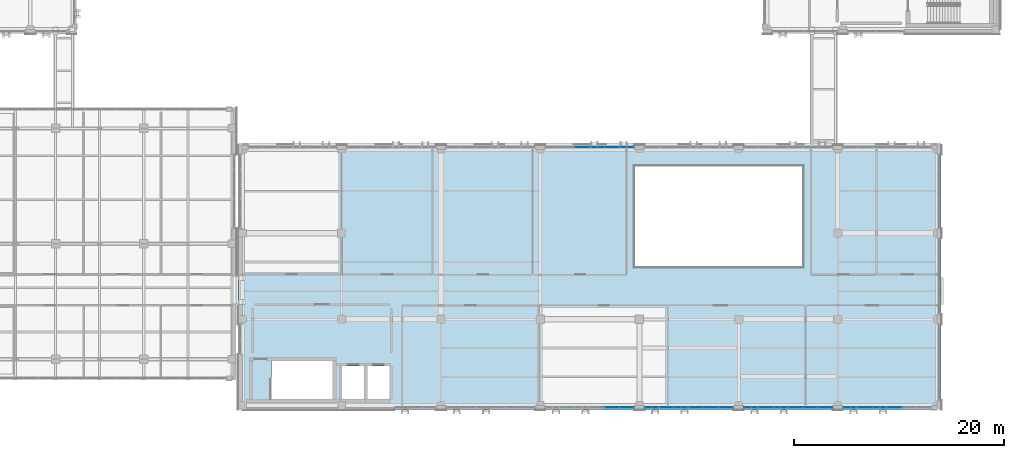
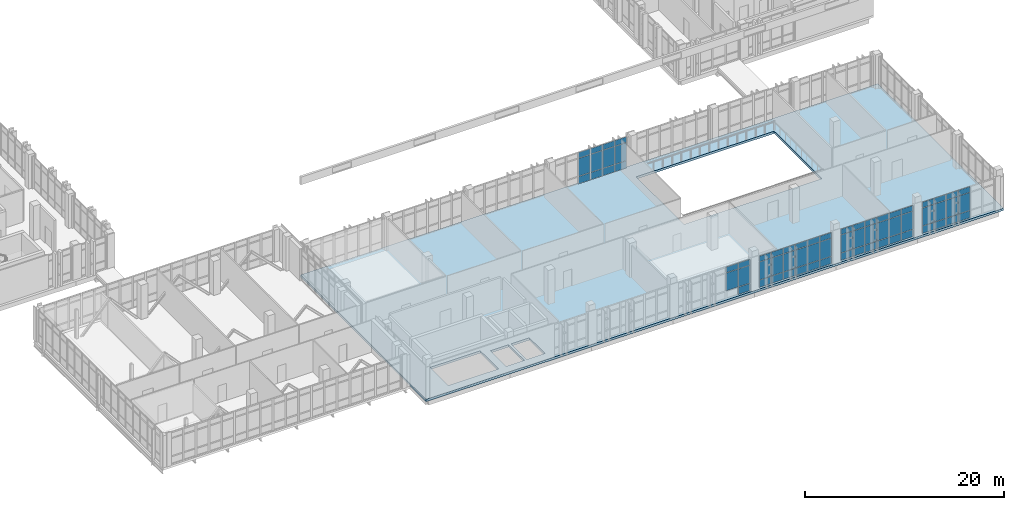
# One storey, part 116 of 158: 65 plates, 1 slab, 5 elements without a shape of their own.
"""IFC4 building model written with IfcOpenShell, lengths in metres."""

import ifcopenshell
import ifcopenshell.guid

model = None  # the IFC model being written
_history = None  # IfcOwnerHistory: only IFC2X3 demands one
_inside = {}  # id of a spatial element -> (the spatial element, [elements in it])
_under = {}  # id of a project, library or spatial element -> (it, [spatial elements below it])
_declared = {}  # id of a project -> (the project, [libraries it declares])
_typed = {}  # id of a type object -> (the type object, [elements of that type])
_made_of = {}  # id of a material, layer set ... -> (it, [elements and type objects made of it])


def new_model(schema):
    """Start an empty IFC model of exactly this schema.

    Asked for "IFC4X3", IfcOpenShell would pick the latest addendum, in which some entities
    have other attributes; the version numbers below select the first issue.
    IFC2X3 requires an IfcOwnerHistory on every rooted entity: one is made here for all.
    """
    global model, _history
    if schema == "IFC4X3":
        model = ifcopenshell.file(schema_version=(4, 3, 0, 0))
    else:
        model = ifcopenshell.file(schema=schema)
    _inside.clear()
    _under.clear()
    _declared.clear()
    _typed.clear()
    _made_of.clear()
    _history = None
    if model.schema == "IFC2X3":
        org = make("IfcOrganization", Name="unknown")
        user = make(
            "IfcPersonAndOrganization",
            ThePerson=make("IfcPerson", FamilyName="unknown"),
            TheOrganization=org,
        )
        app = make(
            "IfcApplication",
            ApplicationDeveloper=org,
            Version="unknown",
            ApplicationFullName="unknown",
            ApplicationIdentifier="unknown",
        )
        _history = make(
            "IfcOwnerHistory",
            OwningUser=user,
            OwningApplication=app,
            ChangeAction="ADDED",
            CreationDate=0,
        )
    return model


def make(cls, **values):
    """One entity of the class cls with the attributes given. An attribute that is None is left unset."""
    return model.create_entity(
        cls, **{name: value for name, value in values.items() if value is not None}
    )


def rooted(cls, **values):
    """An entity with a GlobalId (a new one), such as an element, a storey or a relation."""
    return make(cls, GlobalId=ifcopenshell.guid.new(), OwnerHistory=_history, **values)


def si_unit(unit_type, name, prefix=None):
    """IfcSIUnit, for example si_unit("LENGTHUNIT", "METRE", prefix="MILLI")."""
    return make("IfcSIUnit", UnitType=unit_type, Prefix=prefix, Name=name)


def assignment(units):
    """IfcUnitAssignment: the units of a project."""
    return None if units is None else make("IfcUnitAssignment", Units=units)


def point(xyz):
    """IfcCartesianPoint."""
    return None if xyz is None else make("IfcCartesianPoint", Coordinates=xyz)


def direction(xyz):
    """IfcDirection."""
    return None if xyz is None else make("IfcDirection", DirectionRatios=xyz)


def frame(location, z_axis=None, x_axis=None):
    """IfcAxis2Placement3D, a coordinate frame: its origin and axes. An axis left out is left unset."""
    return make(
        "IfcAxis2Placement3D",
        Location=point(location),
        Axis=direction(z_axis),
        RefDirection=direction(x_axis),
    )


def frame_2d(location, x_axis=None):
    """IfcAxis2Placement2D, a coordinate frame in the plane: its origin and x axis."""
    return make(
        "IfcAxis2Placement2D", Location=point(location), RefDirection=direction(x_axis)
    )


def origin():
    """The frame at (0, 0, 0) with its axes left unset."""
    return frame((0.0, 0.0, 0.0))


def origin_2d():
    """The frame at (0, 0) in the plane with its x axis left unset."""
    return frame_2d((0.0, 0.0))


def place(relative_to, where):
    """IfcLocalPlacement: puts the frame where relative to a parent placement (None: the world)."""
    return make(
        "IfcLocalPlacement", PlacementRelTo=relative_to, RelativePlacement=where
    )


def context(
    kind, dimensions, precision=None, world=None, true_north=None, identifier=None
):
    """IfcGeometricRepresentationContext, for example the 3D "Model" context."""
    return make(
        "IfcGeometricRepresentationContext",
        ContextIdentifier=identifier,
        ContextType=kind,
        CoordinateSpaceDimension=dimensions,
        Precision=precision,
        WorldCoordinateSystem=world,
        TrueNorth=true_north,
    )


def subcontext(parent, identifier, kind, view, scale=None):
    """IfcGeometricRepresentationSubContext, for example "Body" below "Model"."""
    return make(
        "IfcGeometricRepresentationSubContext",
        ContextIdentifier=identifier,
        ContextType=kind,
        ParentContext=parent,
        TargetScale=scale,
        TargetView=view,
    )


def project(units=None, contexts=None):
    """IfcProject with its units and contexts."""
    return rooted(
        "IfcProject",
        Name="project",
        RepresentationContexts=contexts,
        UnitsInContext=assignment(units),
    )


def spatial(cls, under=None, at=None, **own):
    """A site, building, storey or space (cls), placed at a placement, below another one or the project."""
    s = rooted(cls, ObjectPlacement=at, **own)
    if under is not None:
        _under.setdefault(under.id(), (under, []))[1].append(s)
    return s


def polyline(points):
    """IfcPolyline through the points."""
    return make("IfcPolyline", Points=[point(p) for p in points])


def profile(cls, at=None, kind="AREA", **sizes):
    """A parametric profile (cls). Its sizes go by their IFC names, for example OverallWidth=200.0."""
    return make(cls, ProfileType=kind, Position=at, **sizes)


def rectangle(**sizes):
    """IfcRectangleProfileDef."""
    return profile("IfcRectangleProfileDef", **sizes)


def outline(outer, holes=None, kind="AREA"):
    """IfcArbitraryClosedProfileDef: a profile drawn as a closed curve; with holes, ...WithVoids."""
    if holes is None:
        return make("IfcArbitraryClosedProfileDef", ProfileType=kind, OuterCurve=outer)
    return make(
        "IfcArbitraryProfileDefWithVoids",
        ProfileType=kind,
        OuterCurve=outer,
        InnerCurves=holes,
    )


def extrude(swept, where, along, depth):
    """IfcExtrudedAreaSolid: the profile swept, set in the frame where, extruded along a direction by depth."""
    return make(
        "IfcExtrudedAreaSolid",
        SweptArea=swept,
        Position=where,
        ExtrudedDirection=direction(along),
        Depth=depth,
    )


def shape(context_of_items, identifier, shape_type, items):
    """IfcShapeRepresentation: the items that make up one representation, for example the "Body"."""
    return make(
        "IfcShapeRepresentation",
        ContextOfItems=context_of_items,
        RepresentationIdentifier=identifier,
        RepresentationType=shape_type,
        Items=items,
    )


def material(Name=None, Category=None):
    """IfcMaterial."""
    return make("IfcMaterial", Name=Name, Category=Category)


def layer(
    of_material, thickness, ventilated=None, Name=None, Category=None, Priority=None
):
    """IfcMaterialLayer: one layer of a wall or slab, of a material (None: an air gap)."""
    return make(
        "IfcMaterialLayer",
        Material=of_material,
        LayerThickness=thickness,
        IsVentilated=ventilated,
        Name=Name,
        Category=Category,
        Priority=Priority,
    )


def layer_set(layers, Name=None):
    """IfcMaterialLayerSet."""
    return make("IfcMaterialLayerSet", MaterialLayers=layers, LayerSetName=Name)


def made_of(thing, what):
    """Note that an element or type object is made of a material, layer set ...; save() writes the relation."""
    if what is not None:
        _made_of.setdefault(what.id(), (what, []))[1].append(thing)
    return thing


def type_object(cls, material=None, **own):
    """A type object (cls), such as IfcWallType, which elements share."""
    return made_of(rooted(cls, **own), material)


def element(
    cls,
    number,
    at=None,
    inside=None,
    cuts=None,
    type_object=None,
    material=None,
    context=None,
    identifier="Body",
    shape_type=None,
    held_by="IfcProductDefinitionShape",
    body=None,
    shapes=None,
    **own,
):
    """One element of the class cls, such as IfcWall. Its Tag is "e" and its number.

    at: its placement. inside: the storey or other place that contains it. cuts: it is an
    opening in that element (IfcRelVoidsElement). A single representation is given by context,
    identifier, shape_type and body (its items); several are given by shapes. held_by: the class
    of the entity that holds the representations. save() writes the other relations.
    """
    e = rooted(cls, Tag="e%d" % number, ObjectPlacement=at, **own)
    if body is not None:
        shapes = [shape(context, identifier, shape_type, body)]
    if shapes is not None:
        e.Representation = make(held_by, Representations=shapes)
    if inside is not None:
        _inside.setdefault(inside.id(), (inside, []))[1].append(e)
    if cuts is not None:
        rooted(
            "IfcRelVoidsElement", RelatingBuildingElement=cuts, RelatedOpeningElement=e
        )
    if type_object is not None:
        _typed.setdefault(type_object.id(), (type_object, []))[1].append(e)
    return made_of(e, material)


def aggregate(whole, parts):
    """IfcRelAggregates: a whole, such as a stair, and the parts it consists of."""
    return rooted("IfcRelAggregates", RelatingObject=whole, RelatedObjects=parts)


def save(model, path):
    """Write the relations noted so far, then the file.

    IfcRelAggregates (storeys below a building ...), IfcRelContainedInSpatialStructure (elements
    in a storey), IfcRelDefinesByType, IfcRelAssociatesMaterial and IfcRelDeclares: one each for
    every whole, place, type object, material and project.
    """
    for whole, parts in _under.values():
        aggregate(whole, parts)
    for where, things in _inside.values():
        rooted(
            "IfcRelContainedInSpatialStructure",
            RelatedElements=things,
            RelatingStructure=where,
        )
    for kind, things in _typed.values():
        rooted("IfcRelDefinesByType", RelatedObjects=things, RelatingType=kind)
    for what, things in _made_of.values():
        rooted("IfcRelAssociatesMaterial", RelatedObjects=things, RelatingMaterial=what)
    for by, libraries in _declared.values():
        rooted("IfcRelDeclares", RelatingContext=by, RelatedDefinitions=libraries)
    model.write(path)


model = new_model("IFC4")

# Units and contexts
model_context = context("Model", 3, precision=1e-05, world=origin(), true_north=direction((0.0, 1.0)))
body_context = subcontext(model_context, "Body", "Model", "MODEL_VIEW")
ifc_project = project(units=[si_unit("LENGTHUNIT", "METRE"), si_unit("AREAUNIT", "SQUARE_METRE"), si_unit("VOLUMEUNIT", "CUBIC_METRE"), si_unit("PLANEANGLEUNIT", "RADIAN"), si_unit("MASSUNIT", "GRAM", prefix="KILO")], contexts=[model_context])

# Site, building, storey
site_placement = place(None, origin())
site = spatial("IfcSite", under=ifc_project, at=site_placement, CompositionType="ELEMENT")
building_placement = place(site_placement, origin())
building = spatial("IfcBuilding", under=site, at=building_placement, Name="Qalavern Law Courts", CompositionType="ELEMENT")
storey_placement = place(building_placement, frame((0.0, 0.0, 18.60009765625)))
storey = spatial("IfcBuildingStorey", under=building, at=storey_placement, Name="L04", CompositionType="ELEMENT", Elevation=18.60009765625)

# Curtain wall, plates
ifc_material_1 = material(Name="Anodised aluminium and insulated glazing", Category="aluminium")
ifc_layer_1 = layer(ifc_material_1, 0.18505859375)
ifc_layer_set_1 = layer_set([ifc_layer_1], Name="Anodised aluminium and insulated glazing")
curtain_wall_type = type_object("IfcCurtainWallType", Name="ENV-CW-HALL", PredefinedType="USERDEFINED", material=ifc_layer_set_1)
curtain_wall_1_placement = place(storey_placement, origin())
curtain_wall_1 = element("IfcCurtainWall", 1, at=curtain_wall_1_placement, inside=storey, type_object=curtain_wall_type, Name="V2 unitised curtain wall L04 south 3", ObjectType="UNITISED CURTAIN WALL", PredefinedType="USERDEFINED")
ifc_material_2 = material(Name="Insulated low-E acoustic glazing", Category="glass")
ifc_layer_2 = layer(ifc_material_2, 0.031982421875)
ifc_layer_set_2 = layer_set([ifc_layer_2], Name="Insulated low-E acoustic glazing")
plate_type_1 = type_object("IfcPlateType", Name="ENV-CWP-32", PredefinedType="CURTAIN_PANEL", material=ifc_layer_set_2)
plate_1_placement = place(storey_placement, frame((69.823486328125, 5.39990234375, 0.97412109375), z_axis=(0.0, 0.0, 1.0), x_axis=(1.0, 0.0, 0.0)))
plate_1 = element("IfcPlate", 2, at=plate_1_placement, type_object=plate_type_1, Name="CW-02 panel 5.2", PredefinedType="CURTAIN_PANEL", context=body_context, shape_type="SweptSolid", body=[
    extrude(rectangle(XDim=1.361083984375, YDim=0.031982421875, at=origin_2d()), origin(), (0.0, 0.0, 1.0), 2.177001953125),
])
plate_2_placement = place(storey_placement, frame((69.823486328125, 5.39990234375, 3.19873046875), z_axis=(0.0, 0.0, 1.0), x_axis=(1.0, 0.0, 0.0)))
plate_2 = element("IfcPlate", 3, at=plate_2_placement, type_object=plate_type_1, Name="CW-02 panel 5.3", PredefinedType="CURTAIN_PANEL", context=body_context, shape_type="SweptSolid", body=[
    extrude(rectangle(XDim=1.361083984375, YDim=0.031982421875, at=origin_2d()), origin(), (0.0, 0.0, 1.0), 0.677978515625),
])
plate_3_placement = place(storey_placement, frame((71.220703125, 5.39990234375, 0.0478515625), z_axis=(0.0, 0.0, 1.0), x_axis=(1.0, 0.0, 0.0)))
plate_3 = element("IfcPlate", 4, at=plate_3_placement, type_object=plate_type_1, Name="CW-02 panel 6.1", PredefinedType="CURTAIN_PANEL", context=body_context, shape_type="SweptSolid", body=[
    extrude(rectangle(XDim=1.3369140625, YDim=0.031982421875, at=origin_2d()), origin(), (0.0, 0.0, 1.0), 0.8779296875),
])
plate_4_placement = place(storey_placement, frame((71.220703125, 5.39990234375, 0.97412109375), z_axis=(0.0, 0.0, 1.0), x_axis=(1.0, 0.0, 0.0)))
plate_4 = element("IfcPlate", 5, at=plate_4_placement, type_object=plate_type_1, Name="CW-02 panel 6.2", PredefinedType="CURTAIN_PANEL", context=body_context, shape_type="SweptSolid", body=[
    extrude(rectangle(XDim=1.3369140625, YDim=0.031982421875, at=origin_2d()), origin(), (0.0, 0.0, 1.0), 2.177001953125),
])
plate_5_placement = place(storey_placement, frame((71.220703125, 5.39990234375, 3.19873046875), z_axis=(0.0, 0.0, 1.0), x_axis=(1.0, 0.0, 0.0)))
plate_5 = element("IfcPlate", 6, at=plate_5_placement, type_object=plate_type_1, Name="CW-02 panel 6.3", PredefinedType="CURTAIN_PANEL", context=body_context, shape_type="SweptSolid", body=[
    extrude(rectangle(XDim=1.3369140625, YDim=0.031982421875, at=origin_2d()), origin(), (0.0, 0.0, 1.0), 0.677978515625),
])
aggregate(curtain_wall_1, [plate_1, plate_2, plate_3, plate_4, plate_5])

curtain_wall_2_placement = place(storey_placement, origin())
curtain_wall_2 = element("IfcCurtainWall", 7, at=curtain_wall_2_placement, inside=storey, type_object=curtain_wall_type, Name="V2 unitised curtain wall L04 south 4", ObjectType="UNITISED CURTAIN WALL", PredefinedType="USERDEFINED")
ifc_layer_3 = layer(ifc_material_2, 0.035888671875)
ifc_layer_set_3 = layer_set([ifc_layer_3], Name="Insulated low-E acoustic glazing")
plate_type_2 = type_object("IfcPlateType", Name="ENV-CWP-36", PredefinedType="CURTAIN_PANEL", material=ifc_layer_set_3)
plate_6_placement = place(storey_placement, frame((73.653564453125, 5.39990234375, 0.0478515625), z_axis=(0.0, 0.0, 1.0), x_axis=(1.0, 0.0, 0.0)))
plate_6 = element("IfcPlate", 8, at=plate_6_placement, type_object=plate_type_2, Name="CW-02 panel 1.1", PredefinedType="CURTAIN_PANEL", context=body_context, shape_type="SweptSolid", body=[
    extrude(rectangle(XDim=1.337158203125, YDim=0.035888671875, at=origin_2d()), origin(), (0.0, 0.0, 1.0), 0.8779296875),
])
plate_7_placement = place(storey_placement, frame((73.653564453125, 5.39990234375, 0.97412109375), z_axis=(0.0, 0.0, 1.0), x_axis=(1.0, 0.0, 0.0)))
plate_7 = element("IfcPlate", 9, at=plate_7_placement, type_object=plate_type_2, Name="CW-02 panel 1.2", PredefinedType="CURTAIN_PANEL", context=body_context, shape_type="SweptSolid", body=[
    extrude(rectangle(XDim=1.337158203125, YDim=0.035888671875, at=origin_2d()), origin(), (0.0, 0.0, 1.0), 2.177001953125),
])
plate_8_placement = place(storey_placement, frame((73.653564453125, 5.39990234375, 3.19873046875), z_axis=(0.0, 0.0, 1.0), x_axis=(1.0, 0.0, 0.0)))
plate_8 = element("IfcPlate", 10, at=plate_8_placement, type_object=plate_type_2, Name="CW-02 panel 1.3", PredefinedType="CURTAIN_PANEL", context=body_context, shape_type="SweptSolid", body=[
    extrude(rectangle(XDim=1.337158203125, YDim=0.035888671875, at=origin_2d()), origin(), (0.0, 0.0, 1.0), 0.677978515625),
])
plate_9_placement = place(storey_placement, frame((75.05078125, 5.39990234375, 0.0478515625), z_axis=(0.0, 0.0, 1.0), x_axis=(1.0, 0.0, 0.0)))
plate_9 = element("IfcPlate", 11, at=plate_9_placement, type_object=plate_type_2, Name="CW-02 panel 2.1", PredefinedType="CURTAIN_PANEL", context=body_context, shape_type="SweptSolid", body=[
    extrude(rectangle(XDim=1.361083984375, YDim=0.035888671875, at=origin_2d()), origin(), (0.0, 0.0, 1.0), 0.8779296875),
])
plate_10_placement = place(storey_placement, frame((75.05078125, 5.39990234375, 0.97412109375), z_axis=(0.0, 0.0, 1.0), x_axis=(1.0, 0.0, 0.0)))
plate_10 = element("IfcPlate", 12, at=plate_10_placement, type_object=plate_type_2, Name="CW-02 panel 2.2", PredefinedType="CURTAIN_PANEL", context=body_context, shape_type="SweptSolid", body=[
    extrude(rectangle(XDim=1.361083984375, YDim=0.035888671875, at=origin_2d()), origin(), (0.0, 0.0, 1.0), 2.177001953125),
])
plate_11_placement = place(storey_placement, frame((75.05078125, 5.39990234375, 3.19873046875), z_axis=(0.0, 0.0, 1.0), x_axis=(1.0, 0.0, 0.0)))
plate_11 = element("IfcPlate", 13, at=plate_11_placement, type_object=plate_type_2, Name="CW-02 panel 2.3", PredefinedType="CURTAIN_PANEL", context=body_context, shape_type="SweptSolid", body=[
    extrude(rectangle(XDim=1.361083984375, YDim=0.035888671875, at=origin_2d()), origin(), (0.0, 0.0, 1.0), 0.677978515625),
])
plate_12_placement = place(storey_placement, frame((76.459716796875, 5.39990234375, 0.0478515625), z_axis=(0.0, 0.0, 1.0), x_axis=(1.0, 0.0, 0.0)))
plate_12 = element("IfcPlate", 14, at=plate_12_placement, type_object=plate_type_2, Name="CW-02 panel 3.1", PredefinedType="CURTAIN_PANEL", context=body_context, shape_type="SweptSolid", body=[
    extrude(rectangle(XDim=1.361083984375, YDim=0.035888671875, at=origin_2d()), origin(), (0.0, 0.0, 1.0), 0.8779296875),
])
plate_13_placement = place(storey_placement, frame((76.459716796875, 5.39990234375, 0.97412109375), z_axis=(0.0, 0.0, 1.0), x_axis=(1.0, 0.0, 0.0)))
plate_13 = element("IfcPlate", 15, at=plate_13_placement, type_object=plate_type_2, Name="CW-02 panel 3.2", PredefinedType="CURTAIN_PANEL", context=body_context, shape_type="SweptSolid", body=[
    extrude(rectangle(XDim=1.361083984375, YDim=0.035888671875, at=origin_2d()), origin(), (0.0, 0.0, 1.0), 2.177001953125),
])
plate_14_placement = place(storey_placement, frame((76.459716796875, 5.39990234375, 3.19873046875), z_axis=(0.0, 0.0, 1.0), x_axis=(1.0, 0.0, 0.0)))
plate_14 = element("IfcPlate", 16, at=plate_14_placement, type_object=plate_type_2, Name="CW-02 panel 3.3", PredefinedType="CURTAIN_PANEL", context=body_context, shape_type="SweptSolid", body=[
    extrude(rectangle(XDim=1.361083984375, YDim=0.035888671875, at=origin_2d()), origin(), (0.0, 0.0, 1.0), 0.677978515625),
])
plate_15_placement = place(storey_placement, frame((77.868896484375, 5.39990234375, 0.0478515625), z_axis=(0.0, 0.0, 1.0), x_axis=(1.0, 0.0, 0.0)))
plate_15 = element("IfcPlate", 17, at=plate_15_placement, type_object=plate_type_2, Name="CW-02 panel 4.1", PredefinedType="CURTAIN_PANEL", context=body_context, shape_type="SweptSolid", body=[
    extrude(rectangle(XDim=1.361083984375, YDim=0.035888671875, at=origin_2d()), origin(), (0.0, 0.0, 1.0), 0.8779296875),
])
plate_16_placement = place(storey_placement, frame((77.868896484375, 5.39990234375, 0.97412109375), z_axis=(0.0, 0.0, 1.0), x_axis=(1.0, 0.0, 0.0)))
plate_16 = element("IfcPlate", 18, at=plate_16_placement, type_object=plate_type_2, Name="CW-02 panel 4.2", PredefinedType="CURTAIN_PANEL", context=body_context, shape_type="SweptSolid", body=[
    extrude(rectangle(XDim=1.361083984375, YDim=0.035888671875, at=origin_2d()), origin(), (0.0, 0.0, 1.0), 2.177001953125),
])
plate_17_placement = place(storey_placement, frame((77.868896484375, 5.39990234375, 3.19873046875), z_axis=(0.0, 0.0, 1.0), x_axis=(1.0, 0.0, 0.0)))
plate_17 = element("IfcPlate", 19, at=plate_17_placement, type_object=plate_type_2, Name="CW-02 panel 4.3", PredefinedType="CURTAIN_PANEL", context=body_context, shape_type="SweptSolid", body=[
    extrude(rectangle(XDim=1.361083984375, YDim=0.035888671875, at=origin_2d()), origin(), (0.0, 0.0, 1.0), 0.677978515625),
])
plate_18_placement = place(storey_placement, frame((79.27783203125, 5.39990234375, 0.0478515625), z_axis=(0.0, 0.0, 1.0), x_axis=(1.0, 0.0, 0.0)))
plate_18 = element("IfcPlate", 20, at=plate_18_placement, type_object=plate_type_2, Name="CW-02 panel 5.1", PredefinedType="CURTAIN_PANEL", context=body_context, shape_type="SweptSolid", body=[
    extrude(rectangle(XDim=1.361083984375, YDim=0.035888671875, at=origin_2d()), origin(), (0.0, 0.0, 1.0), 0.8779296875),
])
plate_19_placement = place(storey_placement, frame((79.27783203125, 5.39990234375, 0.97412109375), z_axis=(0.0, 0.0, 1.0), x_axis=(1.0, 0.0, 0.0)))
plate_19 = element("IfcPlate", 21, at=plate_19_placement, type_object=plate_type_2, Name="CW-02 panel 5.2", PredefinedType="CURTAIN_PANEL", context=body_context, shape_type="SweptSolid", body=[
    extrude(rectangle(XDim=1.361083984375, YDim=0.035888671875, at=origin_2d()), origin(), (0.0, 0.0, 1.0), 2.177001953125),
])
plate_20_placement = place(storey_placement, frame((79.27783203125, 5.39990234375, 3.19873046875), z_axis=(0.0, 0.0, 1.0), x_axis=(1.0, 0.0, 0.0)))
plate_20 = element("IfcPlate", 22, at=plate_20_placement, type_object=plate_type_2, Name="CW-02 panel 5.3", PredefinedType="CURTAIN_PANEL", context=body_context, shape_type="SweptSolid", body=[
    extrude(rectangle(XDim=1.361083984375, YDim=0.035888671875, at=origin_2d()), origin(), (0.0, 0.0, 1.0), 0.677978515625),
])
plate_21_placement = place(storey_placement, frame((80.6748046875, 5.39990234375, 0.0478515625), z_axis=(0.0, 0.0, 1.0), x_axis=(1.0, 0.0, 0.0)))
plate_21 = element("IfcPlate", 23, at=plate_21_placement, type_object=plate_type_2, Name="CW-02 panel 6.1", PredefinedType="CURTAIN_PANEL", context=body_context, shape_type="SweptSolid", body=[
    extrude(rectangle(XDim=1.337158203125, YDim=0.035888671875, at=origin_2d()), origin(), (0.0, 0.0, 1.0), 0.8779296875),
])
plate_22_placement = place(storey_placement, frame((80.6748046875, 5.39990234375, 0.97412109375), z_axis=(0.0, 0.0, 1.0), x_axis=(1.0, 0.0, 0.0)))
plate_22 = element("IfcPlate", 24, at=plate_22_placement, type_object=plate_type_2, Name="CW-02 panel 6.2", PredefinedType="CURTAIN_PANEL", context=body_context, shape_type="SweptSolid", body=[
    extrude(rectangle(XDim=1.337158203125, YDim=0.035888671875, at=origin_2d()), origin(), (0.0, 0.0, 1.0), 2.177001953125),
])
plate_23_placement = place(storey_placement, frame((80.6748046875, 5.39990234375, 3.19873046875), z_axis=(0.0, 0.0, 1.0), x_axis=(1.0, 0.0, 0.0)))
plate_23 = element("IfcPlate", 25, at=plate_23_placement, type_object=plate_type_2, Name="CW-02 panel 6.3", PredefinedType="CURTAIN_PANEL", context=body_context, shape_type="SweptSolid", body=[
    extrude(rectangle(XDim=1.337158203125, YDim=0.035888671875, at=origin_2d()), origin(), (0.0, 0.0, 1.0), 0.677978515625),
])
aggregate(curtain_wall_2, [plate_6, plate_7, plate_8, plate_9, plate_10, plate_11, plate_12, plate_13, plate_14, plate_15, plate_16, plate_17, plate_18, plate_19, plate_20, plate_21, plate_22, plate_23])

curtain_wall_3_placement = place(storey_placement, origin())
curtain_wall_3 = element("IfcCurtainWall", 26, at=curtain_wall_3_placement, inside=storey, type_object=curtain_wall_type, Name="V2 unitised curtain wall L04 north 4", ObjectType="UNITISED CURTAIN WALL", PredefinedType="USERDEFINED")
plate_24_placement = place(storey_placement, frame((71.220703125, 30.199951171875, 0.0478515625), z_axis=(0.0, 0.0, 1.0), x_axis=(-1.0, 0.0, 0.0)))
plate_24 = element("IfcPlate", 27, at=plate_24_placement, type_object=plate_type_2, Name="CW-02 panel 1.1", PredefinedType="CURTAIN_PANEL", context=body_context, shape_type="SweptSolid", body=[
    extrude(rectangle(XDim=1.3369140625, YDim=0.035888671875, at=origin_2d()), origin(), (0.0, 0.0, 1.0), 0.8779296875),
])
plate_25_placement = place(storey_placement, frame((71.220703125, 30.199951171875, 0.97412109375), z_axis=(0.0, 0.0, 1.0), x_axis=(-1.0, 0.0, 0.0)))
plate_25 = element("IfcPlate", 28, at=plate_25_placement, type_object=plate_type_2, Name="CW-02 panel 1.2", PredefinedType="CURTAIN_PANEL", context=body_context, shape_type="SweptSolid", body=[
    extrude(rectangle(XDim=1.3369140625, YDim=0.035888671875, at=origin_2d()), origin(), (0.0, 0.0, 1.0), 2.177001953125),
])
plate_26_placement = place(storey_placement, frame((71.220703125, 30.199951171875, 3.19873046875), z_axis=(0.0, 0.0, 1.0), x_axis=(-1.0, 0.0, 0.0)))
plate_26 = element("IfcPlate", 29, at=plate_26_placement, type_object=plate_type_2, Name="CW-02 panel 1.3", PredefinedType="CURTAIN_PANEL", context=body_context, shape_type="SweptSolid", body=[
    extrude(rectangle(XDim=1.3369140625, YDim=0.035888671875, at=origin_2d()), origin(), (0.0, 0.0, 1.0), 0.677978515625),
])
plate_27_placement = place(storey_placement, frame((69.823486328125, 30.199951171875, 0.0478515625), z_axis=(0.0, 0.0, 1.0), x_axis=(-1.0, 0.0, 0.0)))
plate_27 = element("IfcPlate", 30, at=plate_27_placement, type_object=plate_type_2, Name="CW-02 panel 2.1", PredefinedType="CURTAIN_PANEL", context=body_context, shape_type="SweptSolid", body=[
    extrude(rectangle(XDim=1.361083984375, YDim=0.035888671875, at=origin_2d()), origin(), (0.0, 0.0, 1.0), 0.8779296875),
])
plate_28_placement = place(storey_placement, frame((69.823486328125, 30.199951171875, 0.97412109375), z_axis=(0.0, 0.0, 1.0), x_axis=(-1.0, 0.0, 0.0)))
plate_28 = element("IfcPlate", 31, at=plate_28_placement, type_object=plate_type_2, Name="CW-02 panel 2.2", PredefinedType="CURTAIN_PANEL", context=body_context, shape_type="SweptSolid", body=[
    extrude(rectangle(XDim=1.361083984375, YDim=0.035888671875, at=origin_2d()), origin(), (0.0, 0.0, 1.0), 2.177001953125),
])
plate_29_placement = place(storey_placement, frame((69.823486328125, 30.199951171875, 3.19873046875), z_axis=(0.0, 0.0, 1.0), x_axis=(-1.0, 0.0, 0.0)))
plate_29 = element("IfcPlate", 32, at=plate_29_placement, type_object=plate_type_2, Name="CW-02 panel 2.3", PredefinedType="CURTAIN_PANEL", context=body_context, shape_type="SweptSolid", body=[
    extrude(rectangle(XDim=1.361083984375, YDim=0.035888671875, at=origin_2d()), origin(), (0.0, 0.0, 1.0), 0.677978515625),
])
plate_30_placement = place(storey_placement, frame((68.41455078125, 30.199951171875, 0.0478515625), z_axis=(0.0, 0.0, 1.0), x_axis=(-1.0, 0.0, 0.0)))
plate_30 = element("IfcPlate", 33, at=plate_30_placement, type_object=plate_type_2, Name="CW-02 panel 3.1", PredefinedType="CURTAIN_PANEL", context=body_context, shape_type="SweptSolid", body=[
    extrude(rectangle(XDim=1.361083984375, YDim=0.035888671875, at=origin_2d()), origin(), (0.0, 0.0, 1.0), 0.8779296875),
])
plate_31_placement = place(storey_placement, frame((68.41455078125, 30.199951171875, 0.97412109375), z_axis=(0.0, 0.0, 1.0), x_axis=(-1.0, 0.0, 0.0)))
plate_31 = element("IfcPlate", 34, at=plate_31_placement, type_object=plate_type_2, Name="CW-02 panel 3.2", PredefinedType="CURTAIN_PANEL", context=body_context, shape_type="SweptSolid", body=[
    extrude(rectangle(XDim=1.361083984375, YDim=0.035888671875, at=origin_2d()), origin(), (0.0, 0.0, 1.0), 2.177001953125),
])
plate_32_placement = place(storey_placement, frame((68.41455078125, 30.199951171875, 3.19873046875), z_axis=(0.0, 0.0, 1.0), x_axis=(-1.0, 0.0, 0.0)))
plate_32 = element("IfcPlate", 35, at=plate_32_placement, type_object=plate_type_2, Name="CW-02 panel 3.3", PredefinedType="CURTAIN_PANEL", context=body_context, shape_type="SweptSolid", body=[
    extrude(rectangle(XDim=1.361083984375, YDim=0.035888671875, at=origin_2d()), origin(), (0.0, 0.0, 1.0), 0.677978515625),
])
plate_33_placement = place(storey_placement, frame((67.00537109375, 30.199951171875, 0.0478515625), z_axis=(0.0, 0.0, 1.0), x_axis=(-1.0, 0.0, 0.0)))
plate_33 = element("IfcPlate", 36, at=plate_33_placement, type_object=plate_type_2, Name="CW-02 panel 4.1", PredefinedType="CURTAIN_PANEL", context=body_context, shape_type="SweptSolid", body=[
    extrude(rectangle(XDim=1.361083984375, YDim=0.035888671875, at=origin_2d()), origin(), (0.0, 0.0, 1.0), 0.8779296875),
])
plate_34_placement = place(storey_placement, frame((67.00537109375, 30.199951171875, 0.97412109375), z_axis=(0.0, 0.0, 1.0), x_axis=(-1.0, 0.0, 0.0)))
plate_34 = element("IfcPlate", 37, at=plate_34_placement, type_object=plate_type_2, Name="CW-02 panel 4.2", PredefinedType="CURTAIN_PANEL", context=body_context, shape_type="SweptSolid", body=[
    extrude(rectangle(XDim=1.361083984375, YDim=0.035888671875, at=origin_2d()), origin(), (0.0, 0.0, 1.0), 2.177001953125),
])
plate_35_placement = place(storey_placement, frame((67.00537109375, 30.199951171875, 3.19873046875), z_axis=(0.0, 0.0, 1.0), x_axis=(-1.0, 0.0, 0.0)))
plate_35 = element("IfcPlate", 38, at=plate_35_placement, type_object=plate_type_2, Name="CW-02 panel 4.3", PredefinedType="CURTAIN_PANEL", context=body_context, shape_type="SweptSolid", body=[
    extrude(rectangle(XDim=1.361083984375, YDim=0.035888671875, at=origin_2d()), origin(), (0.0, 0.0, 1.0), 0.677978515625),
])
aggregate(curtain_wall_3, [plate_24, plate_25, plate_26, plate_27, plate_28, plate_29, plate_30, plate_31, plate_32, plate_33, plate_34, plate_35])

curtain_wall_4_placement = place(storey_placement, origin())
curtain_wall_4 = element("IfcCurtainWall", 39, at=curtain_wall_4_placement, inside=storey, type_object=curtain_wall_type, Name="V2 unitised curtain wall L04 south 5", ObjectType="UNITISED CURTAIN WALL", PredefinedType="USERDEFINED")
ifc_layer_4 = layer(ifc_material_2, 0.0400390625)
ifc_layer_set_4 = layer_set([ifc_layer_4], Name="Insulated low-E acoustic glazing")
plate_type_3 = type_object("IfcPlateType", Name="ENV-CWP-40", PredefinedType="CURTAIN_PANEL", material=ifc_layer_set_4)
plate_36_placement = place(storey_placement, frame((83.10791015625, 5.39990234375, 0.0478515625), z_axis=(0.0, 0.0, 1.0), x_axis=(1.0, 0.0, 0.0)))
plate_36 = element("IfcPlate", 40, at=plate_36_placement, type_object=plate_type_3, Name="CW-02 panel 1.1", PredefinedType="CURTAIN_PANEL", context=body_context, shape_type="SweptSolid", body=[
    extrude(rectangle(XDim=1.337158203125, YDim=0.0400390625, at=origin_2d()), origin(), (0.0, 0.0, 1.0), 0.8779296875),
])
plate_37_placement = place(storey_placement, frame((83.10791015625, 5.39990234375, 0.97412109375), z_axis=(0.0, 0.0, 1.0), x_axis=(1.0, 0.0, 0.0)))
plate_37 = element("IfcPlate", 41, at=plate_37_placement, type_object=plate_type_3, Name="CW-02 panel 1.2", PredefinedType="CURTAIN_PANEL", context=body_context, shape_type="SweptSolid", body=[
    extrude(rectangle(XDim=1.337158203125, YDim=0.0400390625, at=origin_2d()), origin(), (0.0, 0.0, 1.0), 2.177001953125),
])
plate_38_placement = place(storey_placement, frame((83.10791015625, 5.39990234375, 3.19873046875), z_axis=(0.0, 0.0, 1.0), x_axis=(1.0, 0.0, 0.0)))
plate_38 = element("IfcPlate", 42, at=plate_38_placement, type_object=plate_type_3, Name="CW-02 panel 1.3", PredefinedType="CURTAIN_PANEL", context=body_context, shape_type="SweptSolid", body=[
    extrude(rectangle(XDim=1.337158203125, YDim=0.0400390625, at=origin_2d()), origin(), (0.0, 0.0, 1.0), 0.677978515625),
])
plate_39_placement = place(storey_placement, frame((84.5048828125, 5.39990234375, 0.0478515625), z_axis=(0.0, 0.0, 1.0), x_axis=(1.0, 0.0, 0.0)))
plate_39 = element("IfcPlate", 43, at=plate_39_placement, type_object=plate_type_3, Name="CW-02 panel 2.1", PredefinedType="CURTAIN_PANEL", context=body_context, shape_type="SweptSolid", body=[
    extrude(rectangle(XDim=1.361083984375, YDim=0.0400390625, at=origin_2d()), origin(), (0.0, 0.0, 1.0), 0.8779296875),
])
plate_40_placement = place(storey_placement, frame((84.5048828125, 5.39990234375, 0.97412109375), z_axis=(0.0, 0.0, 1.0), x_axis=(1.0, 0.0, 0.0)))
plate_40 = element("IfcPlate", 44, at=plate_40_placement, type_object=plate_type_3, Name="CW-02 panel 2.2", PredefinedType="CURTAIN_PANEL", context=body_context, shape_type="SweptSolid", body=[
    extrude(rectangle(XDim=1.361083984375, YDim=0.0400390625, at=origin_2d()), origin(), (0.0, 0.0, 1.0), 2.177001953125),
])
plate_41_placement = place(storey_placement, frame((84.5048828125, 5.39990234375, 3.19873046875), z_axis=(0.0, 0.0, 1.0), x_axis=(1.0, 0.0, 0.0)))
plate_41 = element("IfcPlate", 45, at=plate_41_placement, type_object=plate_type_3, Name="CW-02 panel 2.3", PredefinedType="CURTAIN_PANEL", context=body_context, shape_type="SweptSolid", body=[
    extrude(rectangle(XDim=1.361083984375, YDim=0.0400390625, at=origin_2d()), origin(), (0.0, 0.0, 1.0), 0.677978515625),
])
plate_42_placement = place(storey_placement, frame((85.9140625, 5.39990234375, 0.0478515625), z_axis=(0.0, 0.0, 1.0), x_axis=(1.0, 0.0, 0.0)))
plate_42 = element("IfcPlate", 46, at=plate_42_placement, type_object=plate_type_3, Name="CW-02 panel 3.1", PredefinedType="CURTAIN_PANEL", context=body_context, shape_type="SweptSolid", body=[
    extrude(rectangle(XDim=1.361083984375, YDim=0.0400390625, at=origin_2d()), origin(), (0.0, 0.0, 1.0), 0.8779296875),
])
plate_43_placement = place(storey_placement, frame((85.9140625, 5.39990234375, 0.97412109375), z_axis=(0.0, 0.0, 1.0), x_axis=(1.0, 0.0, 0.0)))
plate_43 = element("IfcPlate", 47, at=plate_43_placement, type_object=plate_type_3, Name="CW-02 panel 3.2", PredefinedType="CURTAIN_PANEL", context=body_context, shape_type="SweptSolid", body=[
    extrude(rectangle(XDim=1.361083984375, YDim=0.0400390625, at=origin_2d()), origin(), (0.0, 0.0, 1.0), 2.177001953125),
])
plate_44_placement = place(storey_placement, frame((85.9140625, 5.39990234375, 3.19873046875), z_axis=(0.0, 0.0, 1.0), x_axis=(1.0, 0.0, 0.0)))
plate_44 = element("IfcPlate", 48, at=plate_44_placement, type_object=plate_type_3, Name="CW-02 panel 3.3", PredefinedType="CURTAIN_PANEL", context=body_context, shape_type="SweptSolid", body=[
    extrude(rectangle(XDim=1.361083984375, YDim=0.0400390625, at=origin_2d()), origin(), (0.0, 0.0, 1.0), 0.677978515625),
])
plate_45_placement = place(storey_placement, frame((87.322998046875, 5.39990234375, 0.0478515625), z_axis=(0.0, 0.0, 1.0), x_axis=(1.0, 0.0, 0.0)))
plate_45 = element("IfcPlate", 49, at=plate_45_placement, type_object=plate_type_3, Name="CW-02 panel 4.1", PredefinedType="CURTAIN_PANEL", context=body_context, shape_type="SweptSolid", body=[
    extrude(rectangle(XDim=1.361083984375, YDim=0.0400390625, at=origin_2d()), origin(), (0.0, 0.0, 1.0), 0.8779296875),
])
plate_46_placement = place(storey_placement, frame((87.322998046875, 5.39990234375, 0.97412109375), z_axis=(0.0, 0.0, 1.0), x_axis=(1.0, 0.0, 0.0)))
plate_46 = element("IfcPlate", 50, at=plate_46_placement, type_object=plate_type_3, Name="CW-02 panel 4.2", PredefinedType="CURTAIN_PANEL", context=body_context, shape_type="SweptSolid", body=[
    extrude(rectangle(XDim=1.361083984375, YDim=0.0400390625, at=origin_2d()), origin(), (0.0, 0.0, 1.0), 2.177001953125),
])
plate_47_placement = place(storey_placement, frame((87.322998046875, 5.39990234375, 3.19873046875), z_axis=(0.0, 0.0, 1.0), x_axis=(1.0, 0.0, 0.0)))
plate_47 = element("IfcPlate", 51, at=plate_47_placement, type_object=plate_type_3, Name="CW-02 panel 4.3", PredefinedType="CURTAIN_PANEL", context=body_context, shape_type="SweptSolid", body=[
    extrude(rectangle(XDim=1.361083984375, YDim=0.0400390625, at=origin_2d()), origin(), (0.0, 0.0, 1.0), 0.677978515625),
])
plate_48_placement = place(storey_placement, frame((88.732177734375, 5.39990234375, 0.0478515625), z_axis=(0.0, 0.0, 1.0), x_axis=(1.0, 0.0, 0.0)))
plate_48 = element("IfcPlate", 52, at=plate_48_placement, type_object=plate_type_3, Name="CW-02 panel 5.1", PredefinedType="CURTAIN_PANEL", context=body_context, shape_type="SweptSolid", body=[
    extrude(rectangle(XDim=1.361083984375, YDim=0.0400390625, at=origin_2d()), origin(), (0.0, 0.0, 1.0), 0.8779296875),
])
plate_49_placement = place(storey_placement, frame((88.732177734375, 5.39990234375, 0.97412109375), z_axis=(0.0, 0.0, 1.0), x_axis=(1.0, 0.0, 0.0)))
plate_49 = element("IfcPlate", 53, at=plate_49_placement, type_object=plate_type_3, Name="CW-02 panel 5.2", PredefinedType="CURTAIN_PANEL", context=body_context, shape_type="SweptSolid", body=[
    extrude(rectangle(XDim=1.361083984375, YDim=0.0400390625, at=origin_2d()), origin(), (0.0, 0.0, 1.0), 2.177001953125),
])
plate_50_placement = place(storey_placement, frame((88.732177734375, 5.39990234375, 3.19873046875), z_axis=(0.0, 0.0, 1.0), x_axis=(1.0, 0.0, 0.0)))
plate_50 = element("IfcPlate", 54, at=plate_50_placement, type_object=plate_type_3, Name="CW-02 panel 5.3", PredefinedType="CURTAIN_PANEL", context=body_context, shape_type="SweptSolid", body=[
    extrude(rectangle(XDim=1.361083984375, YDim=0.0400390625, at=origin_2d()), origin(), (0.0, 0.0, 1.0), 0.677978515625),
])
plate_51_placement = place(storey_placement, frame((90.129150390625, 5.39990234375, 0.0478515625), z_axis=(0.0, 0.0, 1.0), x_axis=(1.0, 0.0, 0.0)))
plate_51 = element("IfcPlate", 55, at=plate_51_placement, type_object=plate_type_3, Name="CW-02 panel 6.1", PredefinedType="CURTAIN_PANEL", context=body_context, shape_type="SweptSolid", body=[
    extrude(rectangle(XDim=1.337158203125, YDim=0.0400390625, at=origin_2d()), origin(), (0.0, 0.0, 1.0), 0.8779296875),
])
plate_52_placement = place(storey_placement, frame((90.129150390625, 5.39990234375, 0.97412109375), z_axis=(0.0, 0.0, 1.0), x_axis=(1.0, 0.0, 0.0)))
plate_52 = element("IfcPlate", 56, at=plate_52_placement, type_object=plate_type_3, Name="CW-02 panel 6.2", PredefinedType="CURTAIN_PANEL", context=body_context, shape_type="SweptSolid", body=[
    extrude(rectangle(XDim=1.337158203125, YDim=0.0400390625, at=origin_2d()), origin(), (0.0, 0.0, 1.0), 2.177001953125),
])
plate_53_placement = place(storey_placement, frame((90.129150390625, 5.39990234375, 3.19873046875), z_axis=(0.0, 0.0, 1.0), x_axis=(1.0, 0.0, 0.0)))
plate_53 = element("IfcPlate", 57, at=plate_53_placement, type_object=plate_type_3, Name="CW-02 panel 6.3", PredefinedType="CURTAIN_PANEL", context=body_context, shape_type="SweptSolid", body=[
    extrude(rectangle(XDim=1.337158203125, YDim=0.0400390625, at=origin_2d()), origin(), (0.0, 0.0, 1.0), 0.677978515625),
])
aggregate(curtain_wall_4, [plate_36, plate_37, plate_38, plate_39, plate_40, plate_41, plate_42, plate_43, plate_44, plate_45, plate_46, plate_47, plate_48, plate_49, plate_50, plate_51, plate_52, plate_53])

curtain_wall_5_placement = place(storey_placement, origin())
curtain_wall_5 = element("IfcCurtainWall", 58, at=curtain_wall_5_placement, inside=storey, type_object=curtain_wall_type, Name="V2 unitised curtain wall L04 south 6", ObjectType="UNITISED CURTAIN WALL", PredefinedType="USERDEFINED")
ifc_layer_5 = layer(ifc_material_2, 0.0439453125)
ifc_layer_set_5 = layer_set([ifc_layer_5], Name="Insulated low-E acoustic glazing")
plate_type_4 = type_object("IfcPlateType", Name="ENV-CWP-44", PredefinedType="CURTAIN_PANEL", material=ifc_layer_set_5)
plate_54_placement = place(storey_placement, frame((92.55859375, 5.39990234375, 0.0478515625), z_axis=(0.0, 0.0, 1.0), x_axis=(1.0, 0.0, 0.0)))
plate_54 = element("IfcPlate", 59, at=plate_54_placement, type_object=plate_type_4, Name="CW-02 panel 1.1", PredefinedType="CURTAIN_PANEL", context=body_context, shape_type="SweptSolid", body=[
    extrude(rectangle(XDim=1.32958984375, YDim=0.0439453125, at=origin_2d()), origin(), (0.0, 0.0, 1.0), 0.8779296875),
])
plate_55_placement = place(storey_placement, frame((92.55859375, 5.39990234375, 0.97412109375), z_axis=(0.0, 0.0, 1.0), x_axis=(1.0, 0.0, 0.0)))
plate_55 = element("IfcPlate", 60, at=plate_55_placement, type_object=plate_type_4, Name="CW-02 panel 1.2", PredefinedType="CURTAIN_PANEL", context=body_context, shape_type="SweptSolid", body=[
    extrude(rectangle(XDim=1.32958984375, YDim=0.0439453125, at=origin_2d()), origin(), (0.0, 0.0, 1.0), 2.177001953125),
])
plate_56_placement = place(storey_placement, frame((92.55859375, 5.39990234375, 3.19873046875), z_axis=(0.0, 0.0, 1.0), x_axis=(1.0, 0.0, 0.0)))
plate_56 = element("IfcPlate", 61, at=plate_56_placement, type_object=plate_type_4, Name="CW-02 panel 1.3", PredefinedType="CURTAIN_PANEL", context=body_context, shape_type="SweptSolid", body=[
    extrude(rectangle(XDim=1.32958984375, YDim=0.0439453125, at=origin_2d()), origin(), (0.0, 0.0, 1.0), 0.677978515625),
])
plate_57_placement = place(storey_placement, frame((93.947998046875, 5.39990234375, 0.0478515625), z_axis=(0.0, 0.0, 1.0), x_axis=(1.0, 0.0, 0.0)))
plate_57 = element("IfcPlate", 62, at=plate_57_placement, type_object=plate_type_4, Name="CW-02 panel 2.1", PredefinedType="CURTAIN_PANEL", context=body_context, shape_type="SweptSolid", body=[
    extrude(rectangle(XDim=1.353515625, YDim=0.0439453125, at=origin_2d()), origin(), (0.0, 0.0, 1.0), 0.8779296875),
])
plate_58_placement = place(storey_placement, frame((93.947998046875, 5.39990234375, 0.97412109375), z_axis=(0.0, 0.0, 1.0), x_axis=(1.0, 0.0, 0.0)))
plate_58 = element("IfcPlate", 63, at=plate_58_placement, type_object=plate_type_4, Name="CW-02 panel 2.2", PredefinedType="CURTAIN_PANEL", context=body_context, shape_type="SweptSolid", body=[
    extrude(rectangle(XDim=1.353515625, YDim=0.0439453125, at=origin_2d()), origin(), (0.0, 0.0, 1.0), 2.177001953125),
])
plate_59_placement = place(storey_placement, frame((93.947998046875, 5.39990234375, 3.19873046875), z_axis=(0.0, 0.0, 1.0), x_axis=(1.0, 0.0, 0.0)))
plate_59 = element("IfcPlate", 64, at=plate_59_placement, type_object=plate_type_4, Name="CW-02 panel 2.3", PredefinedType="CURTAIN_PANEL", context=body_context, shape_type="SweptSolid", body=[
    extrude(rectangle(XDim=1.353515625, YDim=0.0439453125, at=origin_2d()), origin(), (0.0, 0.0, 1.0), 0.677978515625),
])
plate_60_placement = place(storey_placement, frame((95.349609375, 5.39990234375, 0.0478515625), z_axis=(0.0, 0.0, 1.0), x_axis=(1.0, 0.0, 0.0)))
plate_60 = element("IfcPlate", 65, at=plate_60_placement, type_object=plate_type_4, Name="CW-02 panel 3.1", PredefinedType="CURTAIN_PANEL", context=body_context, shape_type="SweptSolid", body=[
    extrude(rectangle(XDim=1.353515625, YDim=0.0439453125, at=origin_2d()), origin(), (0.0, 0.0, 1.0), 0.8779296875),
])
plate_61_placement = place(storey_placement, frame((95.349609375, 5.39990234375, 0.97412109375), z_axis=(0.0, 0.0, 1.0), x_axis=(1.0, 0.0, 0.0)))
plate_61 = element("IfcPlate", 66, at=plate_61_placement, type_object=plate_type_4, Name="CW-02 panel 3.2", PredefinedType="CURTAIN_PANEL", context=body_context, shape_type="SweptSolid", body=[
    extrude(rectangle(XDim=1.353515625, YDim=0.0439453125, at=origin_2d()), origin(), (0.0, 0.0, 1.0), 2.177001953125),
])
plate_62_placement = place(storey_placement, frame((95.349609375, 5.39990234375, 3.19873046875), z_axis=(0.0, 0.0, 1.0), x_axis=(1.0, 0.0, 0.0)))
plate_62 = element("IfcPlate", 67, at=plate_62_placement, type_object=plate_type_4, Name="CW-02 panel 3.3", PredefinedType="CURTAIN_PANEL", context=body_context, shape_type="SweptSolid", body=[
    extrude(rectangle(XDim=1.353515625, YDim=0.0439453125, at=origin_2d()), origin(), (0.0, 0.0, 1.0), 0.677978515625),
])
plate_63_placement = place(storey_placement, frame((96.751220703125, 5.39990234375, 0.0478515625), z_axis=(0.0, 0.0, 1.0), x_axis=(1.0, 0.0, 0.0)))
plate_63 = element("IfcPlate", 68, at=plate_63_placement, type_object=plate_type_4, Name="CW-02 panel 4.1", PredefinedType="CURTAIN_PANEL", context=body_context, shape_type="SweptSolid", body=[
    extrude(rectangle(XDim=1.353515625, YDim=0.0439453125, at=origin_2d()), origin(), (0.0, 0.0, 1.0), 0.8779296875),
])
plate_64_placement = place(storey_placement, frame((96.751220703125, 5.39990234375, 0.97412109375), z_axis=(0.0, 0.0, 1.0), x_axis=(1.0, 0.0, 0.0)))
plate_64 = element("IfcPlate", 69, at=plate_64_placement, type_object=plate_type_4, Name="CW-02 panel 4.2", PredefinedType="CURTAIN_PANEL", context=body_context, shape_type="SweptSolid", body=[
    extrude(rectangle(XDim=1.353515625, YDim=0.0439453125, at=origin_2d()), origin(), (0.0, 0.0, 1.0), 2.177001953125),
])
plate_65_placement = place(storey_placement, frame((96.751220703125, 5.39990234375, 3.19873046875), z_axis=(0.0, 0.0, 1.0), x_axis=(1.0, 0.0, 0.0)))
plate_65 = element("IfcPlate", 70, at=plate_65_placement, type_object=plate_type_4, Name="CW-02 panel 4.3", PredefinedType="CURTAIN_PANEL", context=body_context, shape_type="SweptSolid", body=[
    extrude(rectangle(XDim=1.353515625, YDim=0.0439453125, at=origin_2d()), origin(), (0.0, 0.0, 1.0), 0.677978515625),
])
aggregate(curtain_wall_5, [plate_54, plate_55, plate_56, plate_57, plate_58, plate_59, plate_60, plate_61, plate_62, plate_63, plate_64, plate_65])

# Slab
ifc_material_3 = material(Name="Concrete C35/45", Category="concrete")
ifc_layer_6 = layer(ifc_material_3, 0.280029296875)
ifc_layer_set_6 = layer_set([ifc_layer_6], Name="Concrete C35/45")
slab_type = type_object("IfcSlabType", Name="STR-SLB-L04-280", PredefinedType="FLOOR", material=ifc_layer_set_6)
slab_placement = place(storey_placement, frame((0.0, 0.0, -0.280029296875)))
element("IfcSlab", 71, at=slab_placement, inside=storey, type_object=slab_type, Name="V2 floor slab L04", PredefinedType="FLOOR", context=body_context, shape_type="SweptSolid", body=[
    extrude(outline(polyline([(34.219970703125, 5.199951171875), (101.199951171875, 5.199951171875), (101.199951171875, 30.39990234375), (34.219970703125, 30.39990234375), (34.219970703125, 5.199951171875)]), holes=[polyline([(37.389892578125, 6.199951171875), (43.199951171875, 6.199951171875), (43.199951171875, 9.85009765625), (37.389892578125, 9.85009765625), (37.389892578125, 6.199951171875)]), polyline([(44.10009765625, 6.199951171875), (46.199951171875, 6.199951171875), (46.199951171875, 9.35009765625), (44.10009765625, 9.35009765625), (44.10009765625, 6.199951171875)]), polyline([(46.5, 6.199951171875), (48.60009765625, 6.199951171875), (48.60009765625, 9.35009765625), (46.5, 9.35009765625), (46.5, 6.199951171875)]), polyline([(72.0, 18.800048828125), (88.0, 18.800048828125), (88.0, 28.39990234375), (72.0, 28.39990234375), (72.0, 18.800048828125)])]), origin(), (0.0, 0.0, 1.0), 0.280029296875),
])

save(model, "model.ifc")
